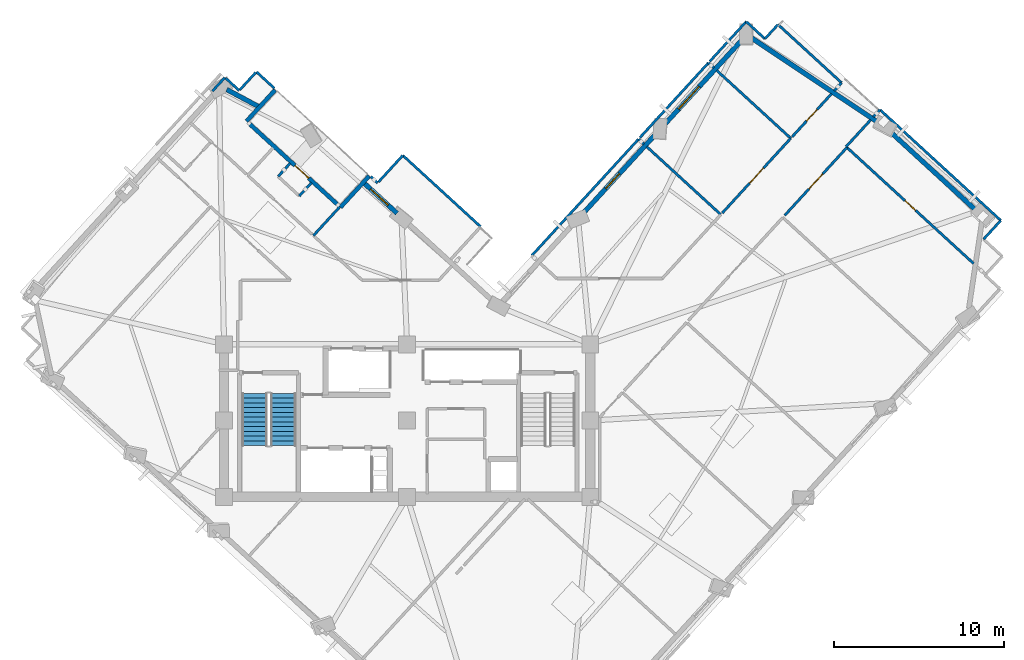
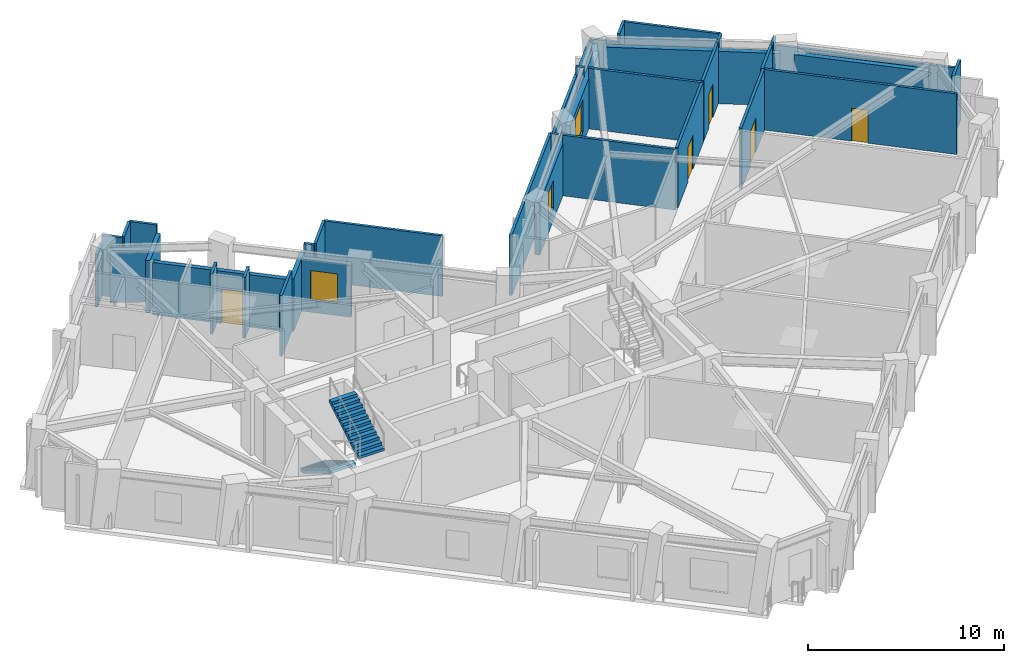
# One storey, part 7 of 12: 38 walls, 5 doors, 3 windows, 2 stair flights, 8 openings, 1 element without a shape of its own.
"""IFC4 building model written with IfcOpenShell, lengths in metres."""

from ifc_helpers import new_model, si_unit, direction, frame, frame_2d, origin, place, context, subcontext, project, spatial, polyline, rectangle, outline, extrude, material, layer, layer_set, type_object, element, fill, aggregate, save


model = new_model("IFC4")

# Units and contexts
model_context = context("Model", 3, precision=1e-05, world=origin(), true_north=direction((0.0, 1.0)))
body_context = subcontext(model_context, "Body", "Model", "MODEL_VIEW")
ifc_project = project(units=[si_unit("LENGTHUNIT", "METRE"), si_unit("AREAUNIT", "SQUARE_METRE"), si_unit("VOLUMEUNIT", "CUBIC_METRE"), si_unit("PLANEANGLEUNIT", "RADIAN"), si_unit("MASSUNIT", "GRAM", prefix="KILO")], contexts=[model_context])

# Site, building, storey
site_placement = place(None, origin())
site = spatial("IfcSite", under=ifc_project, at=site_placement, CompositionType="ELEMENT")
building_placement = place(site_placement, origin())
building = spatial("IfcBuilding", under=site, at=building_placement, Name="Gaonmaruhae Medical Tower", CompositionType="ELEMENT")
storey_placement = place(building_placement, frame((0.0, 0.0, 227.199951171875)))
storey = spatial("IfcBuildingStorey", under=building, at=storey_placement, Name="L54", CompositionType="ELEMENT", Elevation=227.199951171875)

# Wall, opening, door
ifc_material_1 = material(Name="Precast concrete C45/55", Category="concrete")
ifc_layer_1 = layer(ifc_material_1, 0.239990234375)
ifc_layer_set_1 = layer_set([ifc_layer_1], Name="Precast concrete C45/55")
wall_type_1 = type_object("IfcWallType", Name="EW-240 Ribbon & Shelter Insulated Precast Wall", PredefinedType="SOLIDWALL", material=ifc_layer_set_1)
wall_1_placement = place(storey_placement, frame((15.53271484375, 29.7724609375, 0.0), z_axis=(0.0, 0.0, 1.0), x_axis=(0.737267702825, -0.675600721115, 0.0)))
wall_1 = element("IfcWall", 1, at=wall_1_placement, inside=storey, type_object=wall_type_1, Name="L54 Recessed Terrace Enclosure Wall TERB", PredefinedType="SOLIDWALL", context=body_context, shape_type="SweptSolid", body=[
    extrude(rectangle(XDim=6.9599609375, YDim=0.239990234375, at=frame_2d((3.47998046875, 0.0))), origin(), (0.0, 0.0, 1.0), 3.26513671875),
])
opening_1_placement = place(wall_1_placement, frame((3.59716796875, 0.0, 0.0)))
opening_1 = element("IfcOpeningElement", 2, at=opening_1_placement, cuts=wall_1, Name="Opening TD-01", PredefinedType="OPENING", context=body_context, shape_type="SweptSolid", body=[
    extrude(rectangle(XDim=1.10009765625, YDim=2.14990234375, at=frame_2d((0.550048828125, 1.074951171875))), frame((0.0, 0.1298828125, 0.0), z_axis=(0.0, -1.0, 0.0), x_axis=(1.0, 0.0, 0.0)), (0.0, 0.0, 1.0), 0.260009765625),
])
ifc_material_2 = material(Name="Anodised aluminium and toughened safety glass", Category="aluminium")
door_type_1 = type_object("IfcDoorType", Name="TD-01 Terrace & Sky Garden Glazed Door 1100x2150", OperationType="NOTDEFINED", PredefinedType="DOOR", material=ifc_material_2)
door_1_placement = place(opening_1_placement, origin())
door_1 = element("IfcDoor", 3, at=door_1_placement, inside=storey, type_object=door_type_1, Name="L54 Outdoor Terrace Access Door SLB-L54-TER", OperationType="SINGLE_SWING_RIGHT", OverallHeight=2.14990234375, OverallWidth=1.10009765625, PredefinedType="DOOR", context=body_context, shape_type="SweptSolid", body=[
    extrude(rectangle(XDim=1.10009765625, YDim=2.14990234375, at=frame_2d((0.550048828125, 1.074951171875))), frame((0.0, 0.02490234375, 0.0), z_axis=(0.0, -1.0, 0.0), x_axis=(1.0, 0.0, 0.0)), (0.0, 0.0, 1.0), 0.050048828125),
])
fill(opening_1, door_1)

# Walls
for number, where, z_axis, x_axis, name in (
    (4, (20.87060546875, 24.881103515625, 0.0), (0.0, 0.0, 1.0), (0.675574263287, 0.737291946779, 0.0), "L54 Recessed Terrace Enclosure Wall TERL"),
    (5, (17.01513671875, 31.804931640625, 0.0), (0.0, 0.0, 1.0), (-0.675574263287, -0.737291946779, 0.0), "L54 Recessed Terrace Enclosure Wall TERR"),
):
    element("IfcWall", number, at=place(storey_placement, frame(where, z_axis=z_axis, x_axis=x_axis)), inside=storey, type_object=wall_type_1, Name=name, PredefinedType="SOLIDWALL", context=body_context, shape_type="SweptSolid", body=[
        extrude(rectangle(XDim=2.5, YDim=0.239990234375, at=frame_2d((1.25, 0.0))), origin(), (0.0, 0.0, 1.0), 3.26513671875),
    ])
ifc_layer_2 = layer(ifc_material_1, 0.280029296875)
ifc_layer_set_2 = layer_set([ifc_layer_2], Name="Precast concrete C45/55")
wall_type_2 = type_object("IfcWallType", Name="EW-280 Upper Precast Masonry-Frame Facade Wall", PredefinedType="SOLIDWALL", material=ifc_layer_set_2)
wall_2_placement = place(storey_placement, frame((53.1787109375, 29.442626953125, 0.0), z_axis=(0.0, 0.0, 1.0), x_axis=(0.737270624316, -0.675597532945, 0.0)))
element("IfcWall", 6, at=wall_2_placement, inside=storey, type_object=wall_type_2, Name="L54 Precast Masonry-Frame Wall E01-E02", PredefinedType="SOLIDWALL", context=body_context, shape_type="SweptSolid", body=[
    extrude(rectangle(XDim=7.04638671875, YDim=0.280029296875, at=frame_2d((3.523193359375, 0.0))), origin(), (0.0, 0.0, 1.0), 3.26513671875),
])
wall_3_placement = place(storey_placement, frame((45.058349609375, 34.90576171875, 0.0), z_axis=(0.0, 0.0, 1.0), x_axis=(0.831863197992, -0.554980738249, 0.0)))
element("IfcWall", 7, at=wall_3_placement, inside=storey, type_object=wall_type_2, Name="L54 Precast Masonry-Frame Wall E02-E03", PredefinedType="SOLIDWALL", context=body_context, shape_type="SweptSolid", body=[
    extrude(rectangle(XDim=9.0361328125, YDim=0.280029296875, at=frame_2d((4.51806640625, 0.0))), origin(), (0.0, 0.0, 1.0), 3.26513671875),
])

# Wall, opening, window
wall_4_placement = place(storey_placement, frame((40.002197265625, 29.78857421875, 0.0), z_axis=(0.0, 0.0, 1.0), x_axis=(0.675590903353, 0.737276699283, 0.0)))
wall_4 = element("IfcWall", 8, at=wall_4_placement, inside=storey, type_object=wall_type_2, Name="L54 Precast Masonry-Frame Wall E03-EN01", PredefinedType="SOLIDWALL", context=body_context, shape_type="SweptSolid", body=[
    extrude(rectangle(XDim=6.77978515625, YDim=0.280029296875, at=frame_2d((3.389892578125, 0.0))), origin(), (0.0, 0.0, 1.0), 3.1650390625),
])
opening_2_placement = place(wall_4_placement, frame((1.19482421875, 0.0, 0.75)))
opening_2 = element("IfcOpeningElement", 9, at=opening_2_placement, cuts=wall_4, Name="Opening WN-04", PredefinedType="OPENING", context=body_context, shape_type="SweptSolid", body=[
    extrude(rectangle(XDim=1.800048828125, YDim=2.050048828125, at=frame_2d((0.89990234375, 1.02490234375))), frame((0.0, 0.14990234375, 0.0), z_axis=(0.0, -1.0, 0.0), x_axis=(1.0, 0.0, 0.0)), (0.0, 0.0, 1.0), 0.300048828125),
])
ifc_material_3 = material(Name="Anodised aluminium and Low-E double glazing", Category="aluminium")
window_type_1 = type_object("IfcWindowType", Name="WN-04 Clinic & Consult Punched Window 1800x2050", PartitioningType="SINGLE_PANEL", PredefinedType="WINDOW", material=ifc_material_3)
window_1_placement = place(opening_2_placement, origin())
window_1 = element("IfcWindow", 10, at=window_1_placement, inside=storey, type_object=window_type_1, Name="L54 Modular Facade Window E03", OverallHeight=2.050048828125, OverallWidth=1.800048828125, PartitioningType="SINGLE_PANEL", PredefinedType="WINDOW", context=body_context, shape_type="SweptSolid", body=[
    extrude(rectangle(XDim=1.800048828125, YDim=2.050048828125, at=frame_2d((0.89990234375, 1.02490234375))), frame((0.0, 0.030029296875, 0.0), z_axis=(0.0, -1.0, 0.0), x_axis=(1.0, 0.0, 0.0)), (0.0, 0.0, 1.0), 0.06005859375),
])
fill(opening_2, window_1)

wall_5_placement = place(storey_placement, frame((35.1416015625, 24.484130859375, 0.0), z_axis=(0.0, 0.0, 1.0), x_axis=(0.675579726408, 0.737286940931, 0.0)))
wall_5 = element("IfcWall", 11, at=wall_5_placement, inside=storey, type_object=wall_type_2, Name="L54 Precast Masonry-Frame Wall EN01-EN02", PredefinedType="SOLIDWALL", context=body_context, shape_type="SweptSolid", body=[
    extrude(rectangle(XDim=6.409423828125, YDim=0.280029296875, at=frame_2d((3.20458984375, 0.0))), origin(), (0.0, 0.0, 1.0), 3.26513671875),
])
opening_3_placement = place(wall_5_placement, frame((2.0380859375, 0.0, 0.75)))
opening_3 = element("IfcOpeningElement", 12, at=opening_3_placement, cuts=wall_5, Name="Opening WN-05", PredefinedType="OPENING", context=body_context, shape_type="SweptSolid", body=[
    extrude(rectangle(XDim=1.199951171875, YDim=1.75, at=frame_2d((0.60009765625, 0.875))), frame((0.0, 0.14990234375, 0.0), z_axis=(0.0, -1.0, 0.0), x_axis=(1.0, 0.0, 0.0)), (0.0, 0.0, 1.0), 0.300048828125),
])
window_type_2 = type_object("IfcWindowType", Name="WN-05 Support & Staff Punched Window 1200x1750", PartitioningType="SINGLE_PANEL", PredefinedType="WINDOW", material=ifc_material_3)
window_2_placement = place(opening_3_placement, origin())
window_2 = element("IfcWindow", 13, at=window_2_placement, inside=storey, type_object=window_type_2, Name="L54 Modular Facade Window EN01", OverallHeight=1.75, OverallWidth=1.199951171875, PartitioningType="SINGLE_PANEL", PredefinedType="WINDOW", context=body_context, shape_type="SweptSolid", body=[
    extrude(rectangle(XDim=1.199951171875, YDim=1.75, at=frame_2d((0.60009765625, 0.875))), frame((0.0, 0.030029296875, 0.0), z_axis=(0.0, -1.0, 0.0), x_axis=(1.0, 0.0, 0.0)), (0.0, 0.0, 1.0), 0.06005859375),
])
fill(opening_3, window_2)

wall_6_placement = place(storey_placement, frame((22.229736328125, 26.3349609375, 0.0), z_axis=(0.0, 0.0, 1.0), x_axis=(0.737218401946, -0.675654518102, 0.0)))
wall_6 = element("IfcWall", 14, at=wall_6_placement, inside=storey, type_object=wall_type_2, Name="L54 Precast Masonry-Frame Wall NE01-NE02", PredefinedType="SOLIDWALL", context=body_context, shape_type="SweptSolid", body=[
    extrude(rectangle(XDim=2.6806640625, YDim=0.280029296875, at=frame_2d((1.34033203125, 0.0))), origin(), (0.0, 0.0, 1.0), 3.2451171875),
])
opening_4_placement = place(wall_6_placement, frame((0.564453125, 0.0, 0.75)))
opening_4 = element("IfcOpeningElement", 15, at=opening_4_placement, cuts=wall_6, Name="Opening WN-03", PredefinedType="OPENING", context=body_context, shape_type="SweptSolid", body=[
    extrude(rectangle(XDim=1.39990234375, YDim=1.85009765625, at=frame_2d((0.699951171875, 0.925048828125))), frame((0.0, 0.14990234375, 0.0), z_axis=(0.0, -1.0, 0.0), x_axis=(1.0, 0.0, 0.0)), (0.0, 0.0, 1.0), 0.300048828125),
])
window_type_3 = type_object("IfcWindowType", Name="WN-03 Isolation Ward Punched Window 1400x1850", PartitioningType="SINGLE_PANEL", PredefinedType="WINDOW", material=ifc_material_3)
window_3_placement = place(opening_4_placement, origin())
window_3 = element("IfcWindow", 16, at=window_3_placement, inside=storey, type_object=window_type_3, Name="L54 Modular Facade Window NE01", OverallHeight=1.85009765625, OverallWidth=1.39990234375, PartitioningType="SINGLE_PANEL", PredefinedType="WINDOW", context=body_context, shape_type="SweptSolid", body=[
    extrude(rectangle(XDim=1.39990234375, YDim=1.85009765625, at=frame_2d((0.699951171875, 0.925048828125))), frame((0.0, 0.030029296875, 0.0), z_axis=(0.0, -1.0, 0.0), x_axis=(1.0, 0.0, 0.0)), (0.0, 0.0, 1.0), 0.06005859375),
])
fill(opening_4, window_3)

# Wall
wall_7_placement = place(storey_placement, frame((14.160400390625, 31.82421875, 0.0), z_axis=(0.0, 0.0, 1.0), x_axis=(0.881943789269, -0.471354593242, 0.0)))
element("IfcWall", 17, at=wall_7_placement, inside=storey, type_object=wall_type_2, Name="L54 Precast Masonry-Frame Wall NE02-N01", PredefinedType="SOLIDWALL", context=body_context, shape_type="SweptSolid", body=[
    extrude(rectangle(XDim=2.16552734375, YDim=0.280029296875, at=frame_2d((1.082763671875, 0.0))), origin(), (0.0, 0.0, 1.0), 3.2451171875),
])

# Wall, opening, door
ifc_material_4 = material(Name="Gypsum board partition", Category="gypsum")
ifc_layer_3 = layer(ifc_material_4, 0.14990234375)
ifc_layer_set_3 = layer_set([ifc_layer_3], Name="Gypsum board partition")
wall_type_3 = type_object("IfcWallType", Name="PW-150 Rated Clinical Corridor Partition", PredefinedType="PARTITIONING", material=ifc_layer_set_3)
wall_8_placement = place(storey_placement, frame((47.06494140625, 24.39697265625, 0.0), z_axis=(0.0, 0.0, 1.0), x_axis=(0.675653505822, 0.737219329691, 0.0)))
wall_8 = element("IfcWall", 18, at=wall_8_placement, inside=storey, type_object=wall_type_3, Name="L54 Interior Partition L54-SUP06-23", PredefinedType="PARTITIONING", context=body_context, shape_type="SweptSolid", body=[
    extrude(rectangle(XDim=5.440673828125, YDim=0.14990234375, at=frame_2d((2.72021484375, 0.0))), origin(), (0.0, 0.0, 1.0), 3.780029296875),
])
opening_5_placement = place(wall_8_placement, frame((2.120361328125, 0.0, 0.0)))
opening_5 = element("IfcOpeningElement", 19, at=opening_5_placement, cuts=wall_8, Name="Opening CD-02", PredefinedType="OPENING", context=body_context, shape_type="SweptSolid", body=[
    extrude(rectangle(XDim=1.199951171875, YDim=2.14990234375, at=frame_2d((0.60009765625, 1.074951171875))), frame((0.0, 0.0849609375, 0.0), z_axis=(0.0, -1.0, 0.0), x_axis=(1.0, 0.0, 0.0)), (0.0, 0.0, 1.0), 0.169921875),
])
ifc_material_5 = material(Name="Antimicrobial laminate timber fire door", Category="wood")
door_type_2 = type_object("IfcDoorType", Name="CD-02 Clinical Treatment & Procedure Door 1200x2150", OperationType="NOTDEFINED", PredefinedType="DOOR", material=ifc_material_5)
door_2_placement = place(opening_5_placement, origin())
door_2 = element("IfcDoor", 20, at=door_2_placement, inside=storey, type_object=door_type_2, Name="L54 Clinical Biomedical Charting Office Door", OperationType="SINGLE_SWING_RIGHT", OverallHeight=2.14990234375, OverallWidth=1.199951171875, PredefinedType="DOOR", context=body_context, shape_type="SweptSolid", body=[
    extrude(rectangle(XDim=1.199951171875, YDim=2.14990234375, at=frame_2d((0.60009765625, 1.074951171875))), frame((0.0, 0.02490234375, 0.0), z_axis=(0.0, -1.0, 0.0), x_axis=(1.0, 0.0, 0.0)), (0.0, 0.0, 1.0), 0.050048828125),
])
fill(opening_5, door_2)

wall_9_placement = place(storey_placement, frame((50.740966796875, 28.407958984375, 0.0), z_axis=(0.0, 0.0, 1.0), x_axis=(0.737225137983, -0.675647168221, 0.0)))
wall_9 = element("IfcWall", 21, at=wall_9_placement, inside=storey, type_object=wall_type_3, Name="L54 Interior Partition L54-SUP06-24", PredefinedType="PARTITIONING", context=body_context, shape_type="SweptSolid", body=[
    extrude(rectangle(XDim=10.1337890625, YDim=0.14990234375, at=frame_2d((5.06689453125, 0.0))), origin(), (0.0, 0.0, 1.0), 3.780029296875),
])
opening_6_placement = place(wall_9_placement, frame((4.636962890625, 0.0, 0.0)))
opening_6 = element("IfcOpeningElement", 22, at=opening_6_placement, cuts=wall_9, Name="Opening AD-01", PredefinedType="OPENING", context=body_context, shape_type="SweptSolid", body=[
    extrude(rectangle(XDim=0.860107421875, YDim=2.06005859375, at=frame_2d((0.43017578125, 1.030029296875))), frame((0.0, 0.0849609375, 0.0), z_axis=(0.0, -1.0, 0.0), x_axis=(1.0, 0.0, 0.0)), (0.0, 0.0, 1.0), 0.169921875),
])
ifc_material_6 = material(Name="Powder-coated steel access door", Category="steel")
door_type_3 = type_object("IfcDoorType", Name="AD-01 Riser & Closet Access Fire Door 860x2060", OperationType="NOTDEFINED", PredefinedType="DOOR", material=ifc_material_6)
door_3_placement = place(opening_6_placement, origin())
door_3 = element("IfcDoor", 23, at=door_3_placement, inside=storey, type_object=door_type_3, Name="L54 Clinical Records Office Sliding Door", OperationType="SLIDING_TO_LEFT", OverallHeight=2.06005859375, OverallWidth=0.860107421875, PredefinedType="DOOR", context=body_context, shape_type="SweptSolid", body=[
    extrude(rectangle(XDim=0.860107421875, YDim=2.06005859375, at=frame_2d((0.43017578125, 1.030029296875))), frame((0.0, 0.02490234375, 0.0), z_axis=(0.0, -1.0, 0.0), x_axis=(1.0, 0.0, 0.0)), (0.0, 0.0, 1.0), 0.050048828125),
])
fill(opening_6, door_3)

# Walls
wall_10_placement = place(storey_placement, frame((32.14990234375, 22.032958984375, 0.0), z_axis=(0.0, 0.0, 1.0), x_axis=(0.675585759027, 0.737281413166, 0.0)))
element("IfcWall", 24, at=wall_10_placement, inside=storey, type_object=wall_type_3, Name="L54 Interior Partition L54-IE02-48", PredefinedType="PARTITIONING", context=body_context, shape_type="SweptSolid", body=[
    extrude(rectangle(XDim=9.315185546875, YDim=0.14990234375, at=frame_2d((4.65771484375, 0.0))), origin(), (0.0, 0.0, 1.0), 3.780029296875),
])
wall_11_placement = place(storey_placement, frame((38.443115234375, 28.90087890625, 0.0), z_axis=(0.0, 0.0, 1.0), x_axis=(0.737293871703, -0.675572162504, 0.0)))
element("IfcWall", 25, at=wall_11_placement, inside=storey, type_object=wall_type_3, Name="L54 Interior Partition L54-IE02-49", PredefinedType="PARTITIONING", context=body_context, shape_type="SweptSolid", body=[
    extrude(rectangle(XDim=0.43505859375, YDim=0.14990234375, at=frame_2d((0.217529296875, 0.0))), origin(), (0.0, 0.0, 1.0), 3.780029296875),
])
wall_12_placement = place(storey_placement, frame((38.93310546875, 28.451904296875, 0.0), z_axis=(0.0, 0.0, 1.0), x_axis=(0.737237948412, -0.675633189993, 0.0)))
element("IfcWall", 26, at=wall_12_placement, inside=storey, type_object=wall_type_3, Name="L54 Interior Partition L54-IE02-50", PredefinedType="PARTITIONING", context=body_context, shape_type="SweptSolid", body=[
    extrude(rectangle(XDim=5.9248046875, YDim=0.14990234375, at=frame_2d((2.96240234375, 0.0))), origin(), (0.0, 0.0, 1.0), 3.780029296875),
])

# Wall, opening, door
wall_13_placement = place(storey_placement, frame((47.426025390625, 28.949951171875, 0.0), z_axis=(0.0, 0.0, 1.0), x_axis=(-0.675619341334, -0.737250639617, 0.0)))
wall_13 = element("IfcWall", 27, at=wall_13_placement, inside=storey, type_object=wall_type_3, Name="L54 Interior Partition L54-IE03-55", PredefinedType="PARTITIONING", context=body_context, shape_type="SweptSolid", body=[
    extrude(rectangle(XDim=5.985595703125, YDim=0.14990234375, at=frame_2d((2.99267578125, 0.0))), origin(), (0.0, 0.0, 1.0), 3.780029296875),
])
opening_7_placement = place(wall_13_placement, frame((2.392822265625, 0.0, 0.0)))
opening_7 = element("IfcOpeningElement", 28, at=opening_7_placement, cuts=wall_13, Name="Opening CD-02", PredefinedType="OPENING", context=body_context, shape_type="SweptSolid", body=[
    extrude(rectangle(XDim=1.199951171875, YDim=2.14990234375, at=frame_2d((0.60009765625, 1.074951171875))), frame((0.0, 0.0849609375, 0.0), z_axis=(0.0, -1.0, 0.0), x_axis=(1.0, 0.0, 0.0)), (0.0, 0.0, 1.0), 0.169921875),
])
door_4_placement = place(opening_7_placement, origin())
door_4 = element("IfcDoor", 29, at=door_4_placement, inside=storey, type_object=door_type_2, Name="L54 Clean Medication Preparation Room Door", OperationType="SINGLE_SWING_LEFT", OverallHeight=2.14990234375, OverallWidth=1.199951171875, PredefinedType="DOOR", context=body_context, shape_type="SweptSolid", body=[
    extrude(rectangle(XDim=1.199951171875, YDim=2.14990234375, at=frame_2d((0.60009765625, 1.074951171875))), frame((0.0, 0.02490234375, 0.0), z_axis=(0.0, -1.0, 0.0), x_axis=(1.0, 0.0, 0.0)), (0.0, 0.0, 1.0), 0.050048828125),
])
fill(opening_7, door_4)

# Walls
wall_14_placement = place(storey_placement, frame((38.52392578125, 28.989013671875, 0.0), z_axis=(0.0, 0.0, 1.0), x_axis=(0.675510328169, 0.737350524878, 0.0)))
element("IfcWall", 30, at=wall_14_placement, inside=storey, type_object=wall_type_3, Name="L54 Interior Partition L54-IE03-56", PredefinedType="PARTITIONING", context=body_context, shape_type="SweptSolid", body=[
    extrude(rectangle(XDim=5.985107421875, YDim=0.14990234375, at=frame_2d((2.99267578125, 0.0))), origin(), (0.0, 0.0, 1.0), 3.26513671875),
])
wall_15_placement = place(storey_placement, frame((42.56689453125, 33.402099609375, 0.0), z_axis=(0.0, 0.0, 1.0), x_axis=(0.737270493076, -0.675597676165, 0.0)))
element("IfcWall", 31, at=wall_15_placement, inside=storey, type_object=wall_type_3, Name="L54 Interior Partition L54-IE03-57", PredefinedType="PARTITIONING", context=body_context, shape_type="SweptSolid", body=[
    extrude(rectangle(XDim=0.435546875, YDim=0.14990234375, at=frame_2d((0.2177734375, 0.0))), origin(), (0.0, 0.0, 1.0), 3.780029296875),
])
wall_16_placement = place(storey_placement, frame((43.05810546875, 32.952880859375, 0.0), z_axis=(0.0, 0.0, 1.0), x_axis=(0.737237948412, -0.675633189993, 0.0)))
element("IfcWall", 32, at=wall_16_placement, inside=storey, type_object=wall_type_3, Name="L54 Interior Partition L54-IE03-58", PredefinedType="PARTITIONING", context=body_context, shape_type="SweptSolid", body=[
    extrude(rectangle(XDim=5.9248046875, YDim=0.14990234375, at=frame_2d((2.96240234375, 0.0))), origin(), (0.0, 0.0, 1.0), 3.780029296875),
])
wall_17_placement = place(storey_placement, frame((45.903076171875, 34.821044921875, 0.0), z_axis=(0.0, 0.0, 1.0), x_axis=(0.675268831718, 0.737571694759, 0.0)))
element("IfcWall", 33, at=wall_17_placement, inside=storey, type_object=wall_type_3, Name="L54 Interior Partition L54-IE04-59", PredefinedType="PARTITIONING", context=body_context, shape_type="SweptSolid", body=[
    extrude(rectangle(XDim=1.140380859375, YDim=0.14990234375, at=frame_2d((0.5703125, 0.0))), origin(), (0.0, 0.0, 1.0), 3.780029296875),
])
wall_18_placement = place(storey_placement, frame((46.673095703125, 35.662109375, 0.0), z_axis=(0.0, 0.0, 1.0), x_axis=(0.737162104538, -0.675715940046, 0.0)))
element("IfcWall", 34, at=wall_18_placement, inside=storey, type_object=wall_type_3, Name="L54 Interior Partition L54-IE04-60", PredefinedType="PARTITIONING", context=body_context, shape_type="SweptSolid", body=[
    extrude(rectangle(XDim=5.08984375, YDim=0.14990234375, at=frame_2d((2.544921875, 0.0))), origin(), (0.0, 0.0, 1.0), 3.780029296875),
])
wall_19_placement = place(storey_placement, frame((50.425048828125, 32.222900390625, 0.0), z_axis=(0.0, 0.0, 1.0), x_axis=(-0.676087778805, -0.736821087748, 0.0)))
element("IfcWall", 35, at=wall_19_placement, inside=storey, type_object=wall_type_3, Name="L54 Interior Partition L54-IE04-61", PredefinedType="PARTITIONING", context=body_context, shape_type="SweptSolid", body=[
    extrude(rectangle(XDim=0.63916015625, YDim=0.14990234375, at=frame_2d((0.319580078125, 0.0))), origin(), (0.0, 0.0, 1.0), 3.780029296875),
])

# Wall, opening, door
wall_20_placement = place(storey_placement, frame((49.8359375, 31.580078125, 0.0), z_axis=(0.0, 0.0, 1.0), x_axis=(-0.675519367859, -0.737342243227, 0.0)))
wall_20 = element("IfcWall", 36, at=wall_20_placement, inside=storey, type_object=wall_type_3, Name="L54 Interior Partition L54-IE04-62", PredefinedType="PARTITIONING", context=body_context, shape_type="SweptSolid", body=[
    extrude(rectangle(XDim=3.447509765625, YDim=0.14990234375, at=frame_2d((1.7236328125, 0.0))), origin(), (0.0, 0.0, 1.0), 3.780029296875),
])
opening_8_placement = place(wall_20_placement, frame((1.263916015625, 0.0, 0.0)))
opening_8 = element("IfcOpeningElement", 37, at=opening_8_placement, cuts=wall_20, Name="Opening UD-01", PredefinedType="OPENING", context=body_context, shape_type="SweptSolid", body=[
    extrude(rectangle(XDim=0.919921875, YDim=2.10009765625, at=frame_2d((0.4599609375, 1.050048828125))), frame((0.0, 0.0849609375, 0.0), z_axis=(0.0, -1.0, 0.0), x_axis=(1.0, 0.0, 0.0)), (0.0, 0.0, 1.0), 0.169921875),
])
ifc_material_7 = material(Name="Powder-coated steel utility door", Category="steel")
door_type_4 = type_object("IfcDoorType", Name="UD-01 Toilet, Utility & Housekeeping Door 920x2100", OperationType="NOTDEFINED", PredefinedType="DOOR", material=ifc_material_7)
door_5_placement = place(opening_8_placement, origin())
door_5 = element("IfcDoor", 38, at=door_5_placement, inside=storey, type_object=door_type_4, Name="L54 Accessible Public Toilet Door", OperationType="SINGLE_SWING_LEFT", OverallHeight=2.10009765625, OverallWidth=0.919921875, PredefinedType="DOOR", context=body_context, shape_type="SweptSolid", body=[
    extrude(rectangle(XDim=0.919921875, YDim=2.10009765625, at=frame_2d((0.4599609375, 1.050048828125))), frame((0.0, 0.02490234375, 0.0), z_axis=(0.0, -1.0, 0.0), x_axis=(1.0, 0.0, 0.0)), (0.0, 0.0, 1.0), 0.050048828125),
])
fill(opening_8, door_5)

# Walls
wall_21_placement = place(storey_placement, frame((42.64794921875, 33.489990234375, 0.0), z_axis=(0.0, 0.0, 1.0), x_axis=(0.675658589074, 0.737214670914, 0.0)))
element("IfcWall", 39, at=wall_21_placement, inside=storey, type_object=wall_type_3, Name="L54 Interior Partition L54-IE04-63", PredefinedType="PARTITIONING", context=body_context, shape_type="SweptSolid", body=[
    extrude(rectangle(XDim=3.180908203125, YDim=0.14990234375, at=frame_2d((1.59033203125, 0.0))), origin(), (0.0, 0.0, 1.0), 3.1650390625),
])
wall_22_placement = place(storey_placement, frame((44.797119140625, 35.8349609375, 0.0), z_axis=(0.0, 0.0, 1.0), x_axis=(0.737113612824, -0.67576883754, 0.0)))
element("IfcWall", 40, at=wall_22_placement, inside=storey, type_object=wall_type_3, Name="L54 Interior Partition L54-IE04-64", PredefinedType="PARTITIONING", context=body_context, shape_type="SweptSolid", body=[
    extrude(rectangle(XDim=1.50048828125, YDim=0.14990234375, at=frame_2d((0.750244140625, 0.0))), origin(), (0.0, 0.0, 1.0), 3.26513671875),
])
wall_23_placement = place(storey_placement, frame((19.27294921875, 23.2119140625, 0.0), z_axis=(0.0, 0.0, 1.0), x_axis=(0.67568634532, 0.737189231303, 0.0)))
element("IfcWall", 41, at=wall_23_placement, inside=storey, type_object=wall_type_3, Name="L54 Interior Partition L54-IN01-70", PredefinedType="PARTITIONING", context=body_context, shape_type="SweptSolid", body=[
    extrude(rectangle(XDim=2.310302734375, YDim=0.14990234375, at=frame_2d((1.1552734375, 0.0))), origin(), (0.0, 0.0, 1.0), 3.780029296875),
])
wall_24_placement = place(storey_placement, frame((22.64990234375, 26.696044921875, 0.0), z_axis=(0.0, 0.0, 1.0), x_axis=(0.737300557958, -0.675564865306, 0.0)))
element("IfcWall", 42, at=wall_24_placement, inside=storey, type_object=wall_type_3, Name="L54 Interior Partition L54-IN01-71", PredefinedType="PARTITIONING", context=body_context, shape_type="SweptSolid", body=[
    extrude(rectangle(XDim=0.5537109375, YDim=0.14990234375, at=frame_2d((0.27685546875, 0.0))), origin(), (0.0, 0.0, 1.0), 3.780029296875),
])
wall_25_placement = place(storey_placement, frame((17.89892578125, 27.47509765625, 0.0), z_axis=(0.0, 0.0, 1.0), x_axis=(-0.675042954765, -0.737778428271, 0.0)))
element("IfcWall", 43, at=wall_25_placement, inside=storey, type_object=wall_type_3, Name="L54 Interior Partition L54-IN02-73", PredefinedType="PARTITIONING", context=body_context, shape_type="SweptSolid", body=[
    extrude(rectangle(XDim=1.0546875, YDim=0.14990234375, at=frame_2d((0.52734375, 0.0))), origin(), (0.0, 0.0, 1.0), 3.780029296875),
])
wall_26_placement = place(storey_placement, frame((18.43994140625, 25.549072265625, 0.0), z_axis=(0.0, 0.0, 1.0), x_axis=(0.676248637409, 0.736673455747, 0.0)))
element("IfcWall", 44, at=wall_26_placement, inside=storey, type_object=wall_type_3, Name="L54 Interior Partition L54-IN02-75", PredefinedType="PARTITIONING", context=body_context, shape_type="SweptSolid", body=[
    extrude(rectangle(XDim=1.054443359375, YDim=0.14990234375, at=frame_2d((0.52734375, 0.0))), origin(), (0.0, 0.0, 1.0), 3.780029296875),
])
wall_27_placement = place(storey_placement, frame((15.906982421875, 32.875, 0.0), z_axis=(0.0, 0.0, 1.0), x_axis=(0.737077489509, -0.675808237933, 0.0)))
element("IfcWall", 45, at=wall_27_placement, inside=storey, type_object=wall_type_3, Name="L54 Interior Partition L54-IN03-77", PredefinedType="PARTITIONING", context=body_context, shape_type="SweptSolid", body=[
    extrude(rectangle(XDim=1.454345703125, YDim=0.14990234375, at=frame_2d((0.72705078125, 0.0))), origin(), (0.0, 0.0, 1.0), 3.780029296875),
])
wall_28_placement = place(storey_placement, frame((13.30810546875, 31.72607421875, 0.0), z_axis=(0.0, 0.0, 1.0), x_axis=(0.675544132291, 0.737319554418, 0.0)))
element("IfcWall", 46, at=wall_28_placement, inside=storey, type_object=wall_type_3, Name="L54 Interior Partition L54-IN03-79", PredefinedType="PARTITIONING", context=body_context, shape_type="SweptSolid", body=[
    extrude(rectangle(XDim=1.1025390625, YDim=0.14990234375, at=frame_2d((0.55126953125, 0.0))), origin(), (0.0, 0.0, 1.0), 3.26513671875),
])
wall_29_placement = place(storey_placement, frame((14.090087890625, 32.5048828125, 0.0), z_axis=(0.0, 0.0, 1.0), x_axis=(0.737256483247, -0.675612964581, 0.0)))
element("IfcWall", 47, at=wall_29_placement, inside=storey, type_object=wall_type_3, Name="L54 Interior Partition L54-IN03-80", PredefinedType="PARTITIONING", context=body_context, shape_type="SweptSolid", body=[
    extrude(rectangle(XDim=1.089111328125, YDim=0.14990234375, at=frame_2d((0.54443359375, 0.0))), origin(), (0.0, 0.0, 1.0), 3.780029296875),
])
wall_30_placement = place(storey_placement, frame((14.927001953125, 31.805908203125, 0.0), z_axis=(0.0, 0.0, 1.0), x_axis=(0.675748318432, 0.737132423745, 0.0)))
element("IfcWall", 48, at=wall_30_placement, inside=storey, type_object=wall_type_3, Name="L54 Interior Partition L54-IN03-81", PredefinedType="PARTITIONING", context=body_context, shape_type="SweptSolid", body=[
    extrude(rectangle(XDim=1.39990234375, YDim=0.14990234375, at=frame_2d((0.699951171875, 0.0))), origin(), (0.0, 0.0, 1.0), 3.780029296875),
])
wall_31_placement = place(storey_placement, frame((23.10595703125, 26.373046875, 0.0), z_axis=(0.0, 0.0, 1.0), x_axis=(0.675428786724, 0.737425219303, 0.0)))
element("IfcWall", 49, at=wall_31_placement, inside=storey, type_object=wall_type_3, Name="L54 Interior Partition L54-RM03-87", PredefinedType="PARTITIONING", context=body_context, shape_type="SweptSolid", body=[
    extrude(rectangle(XDim=2.13037109375, YDim=0.14990234375, at=frame_2d((1.065185546875, 0.0))), origin(), (0.0, 0.0, 1.0), 3.780029296875),
])
wall_32_placement = place(storey_placement, frame((24.544921875, 27.944091796875, 0.0), z_axis=(0.0, 0.0, 1.0), x_axis=(0.737256613815, -0.6756128221, 0.0)))
element("IfcWall", 50, at=wall_32_placement, inside=storey, type_object=wall_type_3, Name="L54 Interior Partition L54-RM03-88", PredefinedType="PARTITIONING", context=body_context, shape_type="SweptSolid", body=[
    extrude(rectangle(XDim=6.22998046875, YDim=0.14990234375, at=frame_2d((3.114990234375, 0.0))), origin(), (0.0, 0.0, 1.0), 3.780029296875),
])
wall_33_placement = place(storey_placement, frame((52.68896484375, 30.636962890625, 0.0), z_axis=(0.0, 0.0, 1.0), x_axis=(0.737262077206, -0.675606860174, 0.0)))
element("IfcWall", 51, at=wall_33_placement, inside=storey, type_object=wall_type_3, Name="L54 Interior Partition L54-RM04-90", PredefinedType="PARTITIONING", context=body_context, shape_type="SweptSolid", body=[
    extrude(rectangle(XDim=9.669677734375, YDim=0.14990234375, at=frame_2d((4.8349609375, 0.0))), origin(), (0.0, 0.0, 1.0), 3.26513671875),
])
wall_34_placement = place(storey_placement, frame((59.818115234375, 24.10400390625, 0.0), z_axis=(0.0, 0.0, 1.0), x_axis=(-0.6758278627, -0.737059495562, 0.0)))
element("IfcWall", 52, at=wall_34_placement, inside=storey, type_object=wall_type_3, Name="L54 Interior Partition L54-RM04-91", PredefinedType="PARTITIONING", context=body_context, shape_type="SweptSolid", body=[
    extrude(rectangle(XDim=1.499267578125, YDim=0.14990234375, at=frame_2d((0.74951171875, 0.0))), origin(), (0.0, 0.0, 1.0), 3.780029296875),
])
wall_35_placement = place(storey_placement, frame((50.68994140625, 28.455078125, 0.0), z_axis=(0.0, 0.0, 1.0), x_axis=(0.675560141792, 0.737304885934, 0.0)))
element("IfcWall", 53, at=wall_35_placement, inside=storey, type_object=wall_type_3, Name="L54 Interior Partition L54-RM04-94", PredefinedType="PARTITIONING", context=body_context, shape_type="SweptSolid", body=[
    extrude(rectangle(XDim=2.15087890625, YDim=0.14990234375, at=frame_2d((1.075439453125, 0.0))), origin(), (0.0, 0.0, 1.0), 3.780029296875),
])
wall_36_placement = place(storey_placement, frame((52.300048828125, 30.212890625, 0.0), z_axis=(0.0, 0.0, 1.0), x_axis=(0.675897529025, 0.736995610745, 0.0)))
element("IfcWall", 54, at=wall_36_placement, inside=storey, type_object=wall_type_3, Name="L54 Interior Partition L54-RM04-95", PredefinedType="PARTITIONING", context=body_context, shape_type="SweptSolid", body=[
    extrude(rectangle(XDim=0.575439453125, YDim=0.14990234375, at=frame_2d((0.28759765625, 0.0))), origin(), (0.0, 0.0, 1.0), 3.780029296875),
])

# Stair, stair flights
ifc_material_8 = material(Name="Concrete C40/50", Category="concrete")
stair_type = type_object("IfcStairType", Name="ST-T1 Primary Core Escape Dogleg Stair", PredefinedType="TWO_QUARTER_TURN_STAIR", material=ifc_material_8)
stair_placement = place(storey_placement, origin())
stair = element("IfcStair", 55, at=stair_placement, inside=storey, type_object=stair_type, Name="L54 Protected Escape Stair ST-01", PredefinedType="TWO_QUARTER_TURN_STAIR")
stair_flight_type = type_object("IfcStairFlightType", Name="SF-T1 Primary Core Precast Stair Flight", PredefinedType="STRAIGHT", material=ifc_material_8)
stair_flight_1_placement = place(storey_placement, frame((15.800048828125, 13.89990234375, 0.0), z_axis=(0.0, 0.0, 1.0), x_axis=(0.0, -1.0, 0.0)))
stair_flight_1 = element("IfcStairFlight", 56, at=stair_flight_1_placement, type_object=stair_flight_type, Name="ST-01 flight 1", NumberOfRisers=12, NumberOfTreads=11, PredefinedType="STRAIGHT", RiserHeight=0.166666667, TreadLength=0.28, context=body_context, shape_type="SweptSolid", body=[
    extrude(outline(polyline([(0.0, 0.0), (0.0, 0.166748046875), (0.280029296875, 0.166748046875), (0.280029296875, 0.333251953125), (0.56005859375, 0.333251953125), (0.56005859375, 0.5), (0.840087890625, 0.5), (0.840087890625, 0.666748046875), (1.1201171875, 0.666748046875), (1.1201171875, 0.833251953125), (1.39990234375, 0.833251953125), (1.39990234375, 1.0), (1.679931640625, 1.0), (1.679931640625, 1.166748046875), (1.9599609375, 1.166748046875), (1.9599609375, 1.333251953125), (2.239990234375, 1.333251953125), (2.239990234375, 1.5), (2.52001953125, 1.5), (2.52001953125, 1.666748046875), (2.800048828125, 1.666748046875), (2.800048828125, 1.833251953125), (3.080078125, 1.833251953125), (3.080078125, 2.0), (3.080078125, 1.658935546875), (0.29296875, 0.0), (0.0, 0.0)])), frame((0.0, 0.75, 0.0), z_axis=(0.0, -1.0, 0.0), x_axis=(1.0, 0.0, 0.0)), (0.0, 0.0, 1.0), 1.5),
])
stair_flight_2_placement = place(storey_placement, frame((17.5, 10.820068359375, 2.0), z_axis=(0.0, 0.0, 1.0), x_axis=(0.0, 1.0, 0.0)))
stair_flight_2 = element("IfcStairFlight", 57, at=stair_flight_2_placement, type_object=stair_flight_type, Name="ST-01 flight 2", NumberOfRisers=12, NumberOfTreads=11, PredefinedType="STRAIGHT", RiserHeight=0.166666667, TreadLength=0.28, context=body_context, shape_type="SweptSolid", body=[
    extrude(outline(polyline([(0.0, 0.0), (0.0, 0.166748046875), (0.280029296875, 0.166748046875), (0.280029296875, 0.333251953125), (0.56005859375, 0.333251953125), (0.56005859375, 0.5), (0.840087890625, 0.5), (0.840087890625, 0.666748046875), (1.1201171875, 0.666748046875), (1.1201171875, 0.833251953125), (1.39990234375, 0.833251953125), (1.39990234375, 1.0), (1.679931640625, 1.0), (1.679931640625, 1.166748046875), (1.9599609375, 1.166748046875), (1.9599609375, 1.333251953125), (2.239990234375, 1.333251953125), (2.239990234375, 1.5), (2.52001953125, 1.5), (2.52001953125, 1.666748046875), (2.800048828125, 1.666748046875), (2.800048828125, 1.833251953125), (3.080078125, 1.833251953125), (3.080078125, 2.0), (3.080078125, 1.658935546875), (0.29296875, 0.0), (0.0, 0.0)])), frame((0.0, 0.75, 0.0), z_axis=(0.0, -1.0, 0.0), x_axis=(1.0, 0.0, 0.0)), (0.0, 0.0, 1.0), 1.5),
])
aggregate(stair, [stair_flight_1, stair_flight_2])

save(model, "model.ifc")
